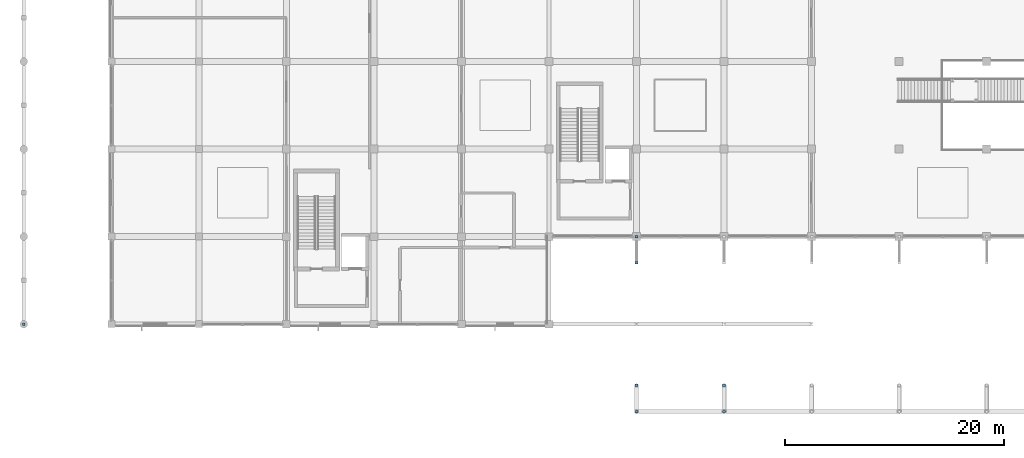
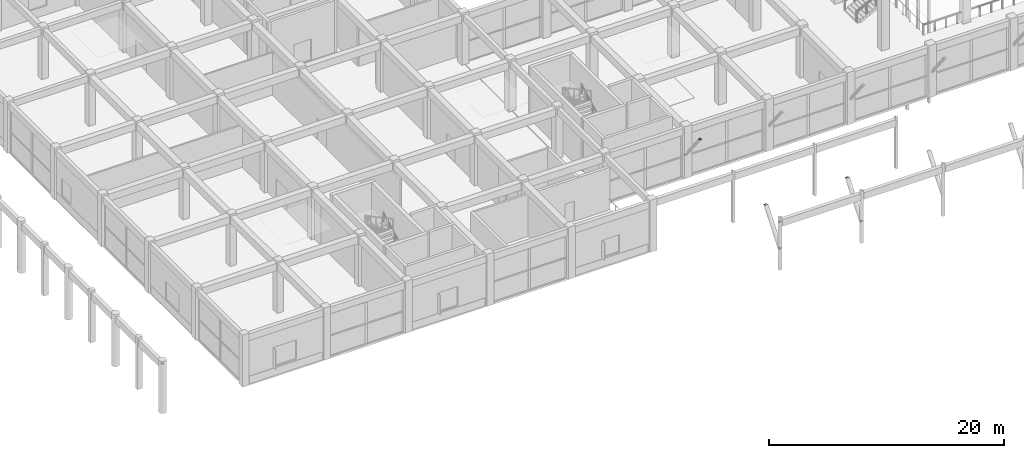
# One storey, part 55 of 69: 8 discrete accessories.
"""IFC4 building model written with IfcOpenShell, lengths in metres."""

from ifc_helpers import new_model, si_unit, direction, frame, origin, origin_2d, place, context, subcontext, project, spatial, rectangle, extrude, material, type_object, element, save


model = new_model("IFC4")

# Units and contexts
model_context = context("Model", 3, precision=1e-05, world=origin(), true_north=direction((0.0, 1.0)))
body_context = subcontext(model_context, "Body", "Model", "MODEL_VIEW")
ifc_project = project(units=[si_unit("LENGTHUNIT", "METRE"), si_unit("AREAUNIT", "SQUARE_METRE"), si_unit("VOLUMEUNIT", "CUBIC_METRE"), si_unit("PLANEANGLEUNIT", "RADIAN"), si_unit("MASSUNIT", "GRAM", prefix="KILO")], contexts=[model_context])

# Site, building, storey
site_placement = place(None, origin())
site = spatial("IfcSite", under=ifc_project, at=site_placement, CompositionType="ELEMENT")
building_placement = place(site_placement, origin())
building = spatial("IfcBuilding", under=site, at=building_placement, Name="Kenh Van Central Station", CompositionType="ELEMENT")
storey_placement = place(building_placement, frame((0.0, 0.0, 5.39990234375)))
storey = spatial("IfcBuildingStorey", under=building, at=storey_placement, Name="L01", CompositionType="ELEMENT", Elevation=5.39990234375)

# Discrete accessories
ifc_material = material(Name="Structural steel S355JR", Category="steel")
discrete_accessory_type = type_object("IfcDiscreteAccessoryType", Name="ACC-END-NODE", PredefinedType="BRACKET", material=ifc_material)
for number, where, z_axis, x_axis, name in (
    (1, (56.0, 0.0, 4.9423828125), (0.0, 0.0, 1.0), (1.0, 0.0, 0.0), "L01 brace end connection node plate 0312"),
    (2, (0.0, 8.0, 4.95849609375), (0.0, 0.0, 1.0), (1.0, 0.0, 0.0), "L01 brace end connection node plate 0368"),
    (3, (56.0, 0.0, 2.187744140625), (0.0, 0.0, 1.0), (1.0, 0.0, 0.0), "L01 brace end connection node plate 0445"),
    (4, (56.0, 2.39990234375, 5.237548828125), (0.0, 0.0, 1.0), (1.0, 0.0, 0.0), "L01 brace end connection node plate 0446"),
    (5, (56.0, 16.0, 2.187744140625), (0.0, 0.0, 1.0), (1.0, 0.0, 0.0), "L01 brace end connection node plate 0447"),
    (6, (56.0, 13.60009765625, 5.237548828125), (0.0, 0.0, 1.0), (1.0, 0.0, 0.0), "L01 brace end connection node plate 0448"),
    (7, (64.0, 0.0, 2.187744140625), (0.0, 0.0, 1.0), (1.0, 0.0, 0.0), "L01 brace end connection node plate 0449"),
    (8, (64.0, 2.39990234375, 5.237548828125), (0.0, 0.0, 1.0), (1.0, 0.0, 0.0), "L01 brace end connection node plate 0450"),
):
    element("IfcDiscreteAccessory", number, at=place(storey_placement, frame(where, z_axis=z_axis, x_axis=x_axis)), inside=storey, type_object=discrete_accessory_type, Name=name, PredefinedType="BRACKET", context=body_context, shape_type="SweptSolid", body=[
        extrude(rectangle(XDim=0.239990234375, YDim=0.239990234375, at=origin_2d()), origin(), (0.0, 0.0, 1.0), 0.02490234375),
    ])

save(model, "model.ifc")
